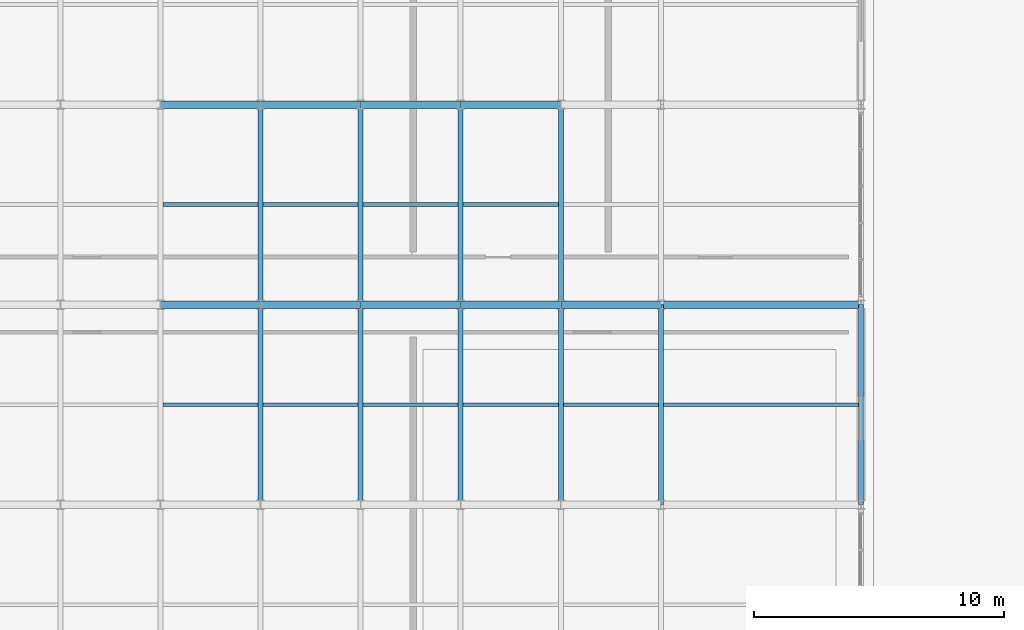
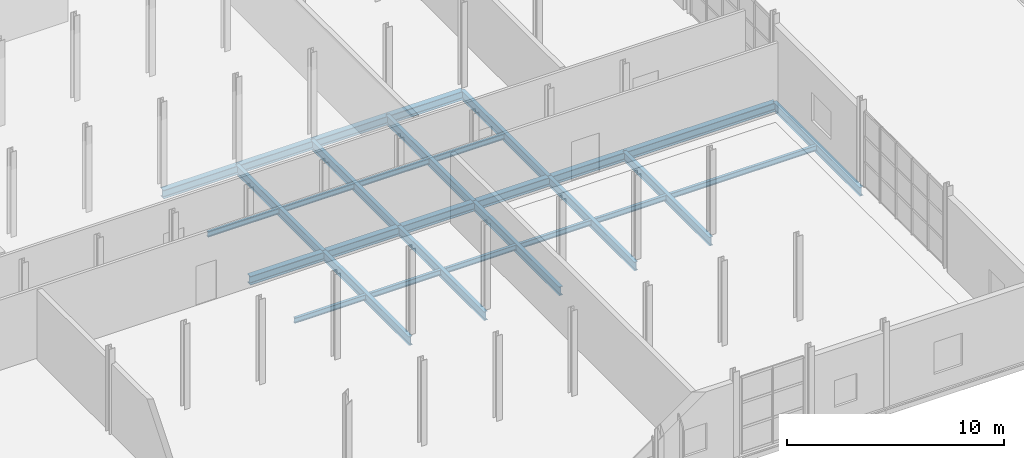
# One storey, part 101 of 143: 30 beams.
"""IFC4 building model written with IfcOpenShell, lengths in metres."""

from ifc_helpers import new_model, si_unit, derived_unit, direction, frame, origin, origin_2d, place, context, subcontext, project, spatial, i_section, extrude, material, material_profile, profile_set, type_object, element, save


model = new_model("IFC4")

# Units and contexts
model_context = context("Model", 3, precision=1e-05, world=origin(), true_north=direction((0.0, 1.0)))
body_context = subcontext(model_context, "Body", "Model", "MODEL_VIEW")
ifc_project = project(units=[si_unit("LENGTHUNIT", "METRE"), si_unit("AREAUNIT", "SQUARE_METRE"), si_unit("VOLUMEUNIT", "CUBIC_METRE"), si_unit("PLANEANGLEUNIT", "RADIAN"), si_unit("MASSUNIT", "GRAM", prefix="KILO"), derived_unit("THERMALTRANSMITTANCEUNIT", [(si_unit("POWERUNIT", "WATT"), 1), (si_unit("LENGTHUNIT", "METRE"), -2), (si_unit("THERMODYNAMICTEMPERATUREUNIT", "KELVIN"), -1)])], contexts=[model_context])

# Site, building, storey
site_placement = place(None, origin())
site = spatial("IfcSite", under=ifc_project, at=site_placement, CompositionType="ELEMENT")
building_placement = place(site_placement, origin())
building = spatial("IfcBuilding", under=site, at=building_placement, Name="Keldorne Ridge Multi-Sports Centre", CompositionType="ELEMENT")
storey_placement = place(building_placement, frame((0.0, 0.0, 4.800048828125)))
storey = spatial("IfcBuildingStorey", under=building, at=storey_placement, Name="L01", CompositionType="ELEMENT", Elevation=4.800048828125)

# Beams
ifc_material = material(Name="Steel S355", Category="steel")
ifc_material_profile_1 = material_profile(ifc_material, i_section(OverallWidth=0.199951171875, OverallDepth=0.5, WebThickness=0.01025390625, FlangeThickness=0.01611328125, FilletRadius=0.02099609375, at=origin_2d()), Name="IPE 500")
ifc_profile_set_1 = profile_set([ifc_material_profile_1], Name="Steel S355")
beam_type_1 = type_object("IfcBeamType", Name="BM-B-02", PredefinedType="BEAM", material=ifc_profile_set_1)
for number, where, z_axis, x_axis, name in (
    (1, (136.0, 82.0, -0.469970703125), (0.0, 1.0, 0.0), (-1.0, 0.0, 0.0), "L01 primary girder 136.3"),
    (2, (136.0, 90.0, -0.469970703125), (0.0, 1.0, 0.0), (-1.0, 0.0, 0.0), "L01 primary girder 136.4"),
    (3, (140.0, 82.0, -0.469970703125), (0.0, 1.0, 0.0), (-1.0, 0.0, 0.0), "L01 primary girder 140.3"),
    (4, (140.0, 90.0, -0.469970703125), (0.0, 1.0, 0.0), (-1.0, 0.0, 0.0), "L01 primary girder 140.4"),
    (5, (144.0, 82.0, -0.469970703125), (0.0, 1.0, 0.0), (-1.0, 0.0, 0.0), "L01 primary girder 144.3"),
    (6, (144.0, 90.0, -0.469970703125), (0.0, 1.0, 0.0), (-1.0, 0.0, 0.0), "L01 primary girder 144.4"),
    (7, (148.0, 82.0, -0.469970703125), (0.0, 1.0, 0.0), (-1.0, 0.0, 0.0), "L01 primary girder 148.3"),
    (8, (148.0, 90.0, -0.469970703125), (0.0, 1.0, 0.0), (-1.0, 0.0, 0.0), "L01 primary girder 148.4"),
    (9, (152.0, 82.0, -0.469970703125), (0.0, 1.0, 0.0), (-1.0, 0.0, 0.0), "L01 primary girder 152.3"),
    (10, (160.0, 82.0, -0.469970703125), (0.0, 1.0, 0.0), (-1.0, 0.0, 0.0), "L01 primary girder 160.3"),
):
    element("IfcBeam", number, at=place(storey_placement, frame(where, z_axis=z_axis, x_axis=x_axis)), inside=storey, type_object=beam_type_1, Name=name, PredefinedType="BEAM", context=body_context, shape_type="SweptSolid", body=[
        extrude(i_section(OverallWidth=0.199951171875, OverallDepth=0.5, WebThickness=0.01025390625, FlangeThickness=0.01611328125, FilletRadius=0.02099609375, at=origin_2d()), origin(), (0.0, 0.0, 1.0), 8.0),
    ])
ifc_material_profile_2 = material_profile(ifc_material, i_section(OverallWidth=0.300048828125, OverallDepth=0.489990234375, WebThickness=0.011962890625, FlangeThickness=0.02294921875, FilletRadius=0.027099609375, at=origin_2d()), Name="HEA 500")
ifc_profile_set_2 = profile_set([ifc_material_profile_2], Name="Steel S355")
beam_type_2 = type_object("IfcBeamType", Name="BM-B-08", PredefinedType="BEAM", material=ifc_profile_set_2)
for number, where, z_axis, x_axis, name in (
    (11, (132.0, 90.0, -0.465087890625), (1.0, 0.0, 0.0), (0.0, 1.0, 0.0), "L01 primary beam 6.90"),
    (12, (136.0, 90.0, -0.465087890625), (1.0, 0.0, 0.0), (0.0, 1.0, 0.0), "L01 primary beam 7.90"),
    (13, (140.0, 90.0, -0.465087890625), (1.0, 0.0, 0.0), (0.0, 1.0, 0.0), "L01 primary beam 8.90"),
    (14, (144.0, 90.0, -0.465087890625), (1.0, 0.0, 0.0), (0.0, 1.0, 0.0), "L01 primary beam 9.90"),
    (15, (148.0, 90.0, -0.465087890625), (1.0, 0.0, 0.0), (0.0, 1.0, 0.0), "L01 primary beam 10.90"),
):
    element("IfcBeam", number, at=place(storey_placement, frame(where, z_axis=z_axis, x_axis=x_axis)), inside=storey, type_object=beam_type_2, Name=name, PredefinedType="BEAM", context=body_context, shape_type="SweptSolid", body=[
        extrude(i_section(OverallWidth=0.300048828125, OverallDepth=0.489990234375, WebThickness=0.011962890625, FlangeThickness=0.02294921875, FilletRadius=0.027099609375, at=origin_2d()), origin(), (0.0, 0.0, 1.0), 4.0),
    ])
beam_1_placement = place(storey_placement, frame((152.0, 90.0, -0.465087890625), z_axis=(1.0, 0.0, 0.0), x_axis=(0.0, 1.0, 0.0)))
element("IfcBeam", 16, at=beam_1_placement, inside=storey, type_object=beam_type_2, Name="L01 primary beam 11.90", PredefinedType="BEAM", context=body_context, shape_type="SweptSolid", body=[
    extrude(i_section(OverallWidth=0.300048828125, OverallDepth=0.489990234375, WebThickness=0.011962890625, FlangeThickness=0.02294921875, FilletRadius=0.027099609375, at=origin_2d()), origin(), (0.0, 0.0, 1.0), 8.0),
])
for number, where, z_axis, x_axis, name in (
    (17, (132.0, 98.0, -0.465087890625), (1.0, 0.0, 0.0), (0.0, 1.0, 0.0), "L01 primary beam 6.98"),
    (18, (136.0, 98.0, -0.465087890625), (1.0, 0.0, 0.0), (0.0, 1.0, 0.0), "L01 primary beam 7.98"),
    (19, (140.0, 98.0, -0.465087890625), (1.0, 0.0, 0.0), (0.0, 1.0, 0.0), "L01 primary beam 8.98"),
    (20, (144.0, 98.0, -0.465087890625), (1.0, 0.0, 0.0), (0.0, 1.0, 0.0), "L01 primary beam 9.98"),
):
    element("IfcBeam", number, at=place(storey_placement, frame(where, z_axis=z_axis, x_axis=x_axis)), inside=storey, type_object=beam_type_2, Name=name, PredefinedType="BEAM", context=body_context, shape_type="SweptSolid", body=[
        extrude(i_section(OverallWidth=0.300048828125, OverallDepth=0.489990234375, WebThickness=0.011962890625, FlangeThickness=0.02294921875, FilletRadius=0.027099609375, at=origin_2d()), origin(), (0.0, 0.0, 1.0), 4.0),
    ])
ifc_material_profile_3 = material_profile(ifc_material, i_section(OverallWidth=0.14990234375, OverallDepth=0.300048828125, WebThickness=0.007080078125, FlangeThickness=0.0107421875, FilletRadius=0.014892578125, at=origin_2d()), Name="IPE 300")
ifc_profile_set_3 = profile_set([ifc_material_profile_3], Name="Steel S355")
beam_type_3 = type_object("IfcBeamType", Name="BM-J-02", PredefinedType="JOIST", material=ifc_profile_set_3)
for number, where, z_axis, x_axis, name in (
    (21, (132.10009765625, 86.0, -0.3701171875), (1.0, 0.0, 0.0), (0.0, 1.0, 0.0), "L01 secondary joist 6.3"),
    (22, (132.10009765625, 94.0, -0.3701171875), (1.0, 0.0, 0.0), (0.0, 1.0, 0.0), "L01 secondary joist 6.4"),
    (23, (136.10009765625, 86.0, -0.3701171875), (1.0, 0.0, 0.0), (0.0, 1.0, 0.0), "L01 secondary joist 7.3"),
    (24, (136.10009765625, 94.0, -0.3701171875), (1.0, 0.0, 0.0), (0.0, 1.0, 0.0), "L01 secondary joist 7.4"),
    (25, (140.10009765625, 86.0, -0.3701171875), (1.0, 0.0, 0.0), (0.0, 1.0, 0.0), "L01 secondary joist 8.3"),
    (26, (140.10009765625, 94.0, -0.3701171875), (1.0, 0.0, 0.0), (0.0, 1.0, 0.0), "L01 secondary joist 8.4"),
    (27, (144.10009765625, 86.0, -0.3701171875), (1.0, 0.0, 0.0), (0.0, 1.0, 0.0), "L01 secondary joist 9.3"),
    (28, (144.10009765625, 94.0, -0.3701171875), (1.0, 0.0, 0.0), (0.0, 1.0, 0.0), "L01 secondary joist 9.4"),
    (29, (148.10009765625, 86.0, -0.3701171875), (1.0, 0.0, 0.0), (0.0, 1.0, 0.0), "L01 secondary joist 10.3"),
):
    element("IfcBeam", number, at=place(storey_placement, frame(where, z_axis=z_axis, x_axis=x_axis)), inside=storey, type_object=beam_type_3, Name=name, PredefinedType="JOIST", context=body_context, shape_type="SweptSolid", body=[
        extrude(i_section(OverallWidth=0.14990234375, OverallDepth=0.300048828125, WebThickness=0.007080078125, FlangeThickness=0.0107421875, FilletRadius=0.014892578125, at=origin_2d()), origin(), (0.0, 0.0, 1.0), 3.7998046875),
    ])
beam_2_placement = place(storey_placement, frame((152.10009765625, 86.0, -0.3701171875), z_axis=(1.0, 0.0, 0.0), x_axis=(0.0, 1.0, 0.0)))
element("IfcBeam", 30, at=beam_2_placement, inside=storey, type_object=beam_type_3, Name="L01 secondary joist 11.3", PredefinedType="JOIST", context=body_context, shape_type="SweptSolid", body=[
    extrude(i_section(OverallWidth=0.14990234375, OverallDepth=0.300048828125, WebThickness=0.007080078125, FlangeThickness=0.0107421875, FilletRadius=0.014892578125, at=origin_2d()), origin(), (0.0, 0.0, 1.0), 7.7998046875),
])

save(model, "model.ifc")
